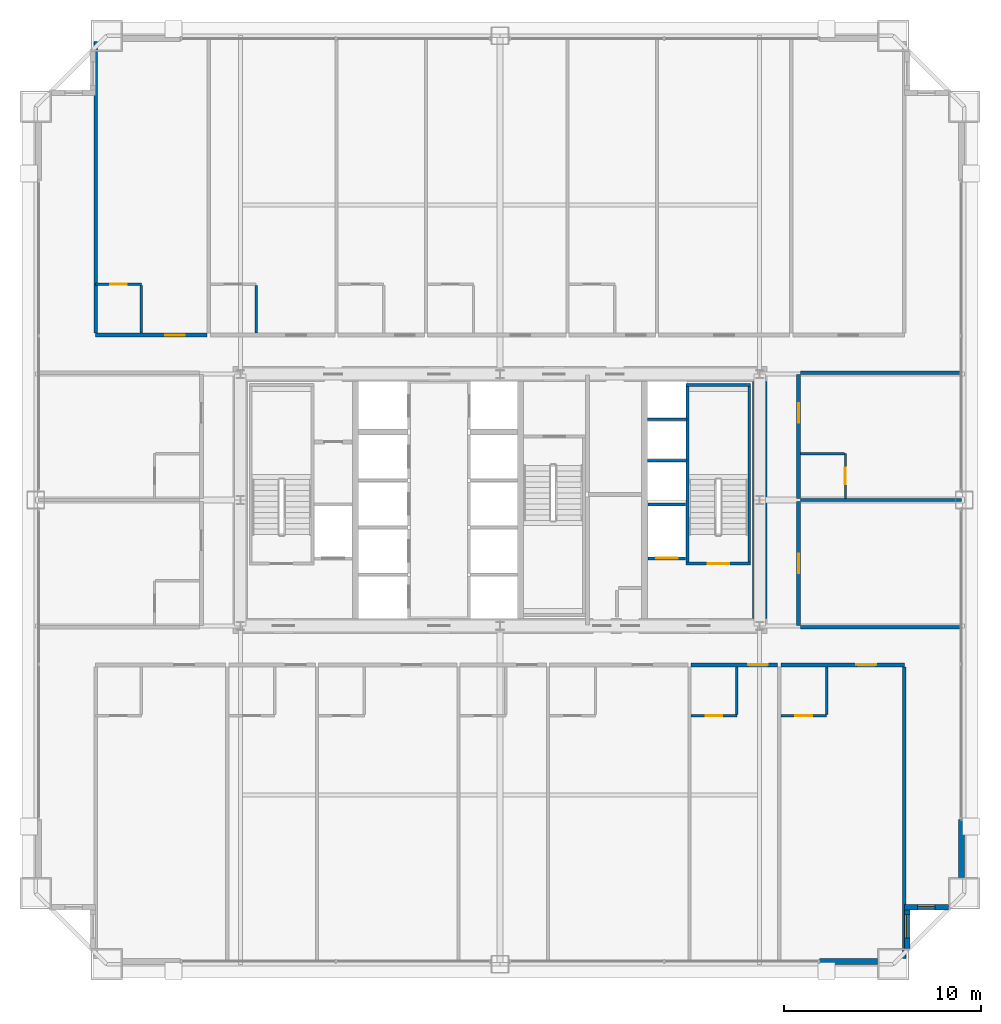
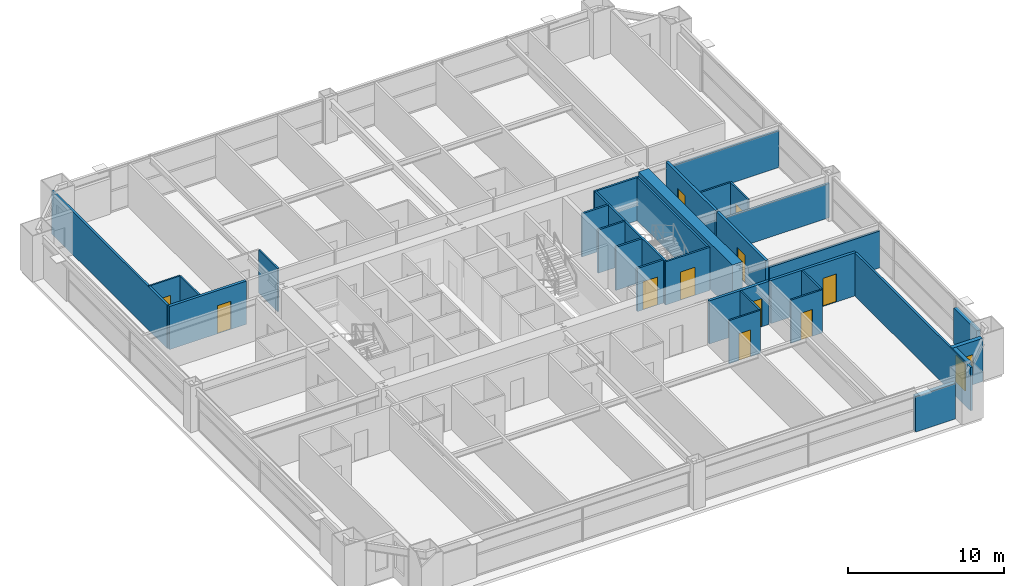
# One storey, part 36 of 38: 32 walls, 11 doors, 2 windows, 13 openings.
"""IFC4 building model written with IfcOpenShell, lengths in metres."""

import ifcopenshell
import ifcopenshell.guid

model = None  # the IFC model being written
_history = None  # IfcOwnerHistory: only IFC2X3 demands one
_inside = {}  # id of a spatial element -> (the spatial element, [elements in it])
_under = {}  # id of a project, library or spatial element -> (it, [spatial elements below it])
_declared = {}  # id of a project -> (the project, [libraries it declares])
_typed = {}  # id of a type object -> (the type object, [elements of that type])
_made_of = {}  # id of a material, layer set ... -> (it, [elements and type objects made of it])


def new_model(schema):
    """Start an empty IFC model of exactly this schema.

    Asked for "IFC4X3", IfcOpenShell would pick the latest addendum, in which some entities
    have other attributes; the version numbers below select the first issue.
    IFC2X3 requires an IfcOwnerHistory on every rooted entity: one is made here for all.
    """
    global model, _history
    if schema == "IFC4X3":
        model = ifcopenshell.file(schema_version=(4, 3, 0, 0))
    else:
        model = ifcopenshell.file(schema=schema)
    _inside.clear()
    _under.clear()
    _declared.clear()
    _typed.clear()
    _made_of.clear()
    _history = None
    if model.schema == "IFC2X3":
        org = make("IfcOrganization", Name="unknown")
        user = make(
            "IfcPersonAndOrganization",
            ThePerson=make("IfcPerson", FamilyName="unknown"),
            TheOrganization=org,
        )
        app = make(
            "IfcApplication",
            ApplicationDeveloper=org,
            Version="unknown",
            ApplicationFullName="unknown",
            ApplicationIdentifier="unknown",
        )
        _history = make(
            "IfcOwnerHistory",
            OwningUser=user,
            OwningApplication=app,
            ChangeAction="ADDED",
            CreationDate=0,
        )
    return model


def make(cls, **values):
    """One entity of the class cls with the attributes given. An attribute that is None is left unset."""
    return model.create_entity(
        cls, **{name: value for name, value in values.items() if value is not None}
    )


def rooted(cls, **values):
    """An entity with a GlobalId (a new one), such as an element, a storey or a relation."""
    return make(cls, GlobalId=ifcopenshell.guid.new(), OwnerHistory=_history, **values)


def si_unit(unit_type, name, prefix=None):
    """IfcSIUnit, for example si_unit("LENGTHUNIT", "METRE", prefix="MILLI")."""
    return make("IfcSIUnit", UnitType=unit_type, Prefix=prefix, Name=name)


def assignment(units):
    """IfcUnitAssignment: the units of a project."""
    return None if units is None else make("IfcUnitAssignment", Units=units)


def point(xyz):
    """IfcCartesianPoint."""
    return None if xyz is None else make("IfcCartesianPoint", Coordinates=xyz)


def direction(xyz):
    """IfcDirection."""
    return None if xyz is None else make("IfcDirection", DirectionRatios=xyz)


def frame(location, z_axis=None, x_axis=None):
    """IfcAxis2Placement3D, a coordinate frame: its origin and axes. An axis left out is left unset."""
    return make(
        "IfcAxis2Placement3D",
        Location=point(location),
        Axis=direction(z_axis),
        RefDirection=direction(x_axis),
    )


def frame_2d(location, x_axis=None):
    """IfcAxis2Placement2D, a coordinate frame in the plane: its origin and x axis."""
    return make(
        "IfcAxis2Placement2D", Location=point(location), RefDirection=direction(x_axis)
    )


def origin():
    """The frame at (0, 0, 0) with its axes left unset."""
    return frame((0.0, 0.0, 0.0))


def place(relative_to, where):
    """IfcLocalPlacement: puts the frame where relative to a parent placement (None: the world)."""
    return make(
        "IfcLocalPlacement", PlacementRelTo=relative_to, RelativePlacement=where
    )


def context(
    kind, dimensions, precision=None, world=None, true_north=None, identifier=None
):
    """IfcGeometricRepresentationContext, for example the 3D "Model" context."""
    return make(
        "IfcGeometricRepresentationContext",
        ContextIdentifier=identifier,
        ContextType=kind,
        CoordinateSpaceDimension=dimensions,
        Precision=precision,
        WorldCoordinateSystem=world,
        TrueNorth=true_north,
    )


def subcontext(parent, identifier, kind, view, scale=None):
    """IfcGeometricRepresentationSubContext, for example "Body" below "Model"."""
    return make(
        "IfcGeometricRepresentationSubContext",
        ContextIdentifier=identifier,
        ContextType=kind,
        ParentContext=parent,
        TargetScale=scale,
        TargetView=view,
    )


def project(units=None, contexts=None):
    """IfcProject with its units and contexts."""
    return rooted(
        "IfcProject",
        Name="project",
        RepresentationContexts=contexts,
        UnitsInContext=assignment(units),
    )


def spatial(cls, under=None, at=None, **own):
    """A site, building, storey or space (cls), placed at a placement, below another one or the project."""
    s = rooted(cls, ObjectPlacement=at, **own)
    if under is not None:
        _under.setdefault(under.id(), (under, []))[1].append(s)
    return s


def profile(cls, at=None, kind="AREA", **sizes):
    """A parametric profile (cls). Its sizes go by their IFC names, for example OverallWidth=200.0."""
    return make(cls, ProfileType=kind, Position=at, **sizes)


def rectangle(**sizes):
    """IfcRectangleProfileDef."""
    return profile("IfcRectangleProfileDef", **sizes)


def extrude(swept, where, along, depth):
    """IfcExtrudedAreaSolid: the profile swept, set in the frame where, extruded along a direction by depth."""
    return make(
        "IfcExtrudedAreaSolid",
        SweptArea=swept,
        Position=where,
        ExtrudedDirection=direction(along),
        Depth=depth,
    )


def shape(context_of_items, identifier, shape_type, items):
    """IfcShapeRepresentation: the items that make up one representation, for example the "Body"."""
    return make(
        "IfcShapeRepresentation",
        ContextOfItems=context_of_items,
        RepresentationIdentifier=identifier,
        RepresentationType=shape_type,
        Items=items,
    )


def source(mapping_origin, context_of_items, identifier, shape_type, items):
    """IfcRepresentationMap: a shape defined once, which mapped items show again and again."""
    return make(
        "IfcRepresentationMap",
        MappingOrigin=mapping_origin,
        MappedRepresentation=shape(context_of_items, identifier, shape_type, items),
    )


def transform(
    local_origin,
    x_axis=None,
    y_axis=None,
    z_axis=None,
    scale=None,
    scale2=None,
    scale3=None,
    uniform=True,
):
    """IfcCartesianTransformationOperator3D, or its non-uniform kind. x_axis, y_axis, z_axis: its Axis1, 2, 3."""
    if uniform:
        return make(
            "IfcCartesianTransformationOperator3D",
            Axis1=direction(x_axis),
            Axis2=direction(y_axis),
            LocalOrigin=point(local_origin),
            Scale=scale,
            Axis3=direction(z_axis),
        )
    return make(
        "IfcCartesianTransformationOperator3DnonUniform",
        Axis1=direction(x_axis),
        Axis2=direction(y_axis),
        LocalOrigin=point(local_origin),
        Scale=scale,
        Axis3=direction(z_axis),
        Scale2=scale2,
        Scale3=scale3,
    )


def mapped(mapping_source, mapping_target):
    """IfcMappedItem: shows the shape of a source again, moved by a transform."""
    return make(
        "IfcMappedItem", MappingSource=mapping_source, MappingTarget=mapping_target
    )


def material(Name=None, Category=None):
    """IfcMaterial."""
    return make("IfcMaterial", Name=Name, Category=Category)


def layer(
    of_material, thickness, ventilated=None, Name=None, Category=None, Priority=None
):
    """IfcMaterialLayer: one layer of a wall or slab, of a material (None: an air gap)."""
    return make(
        "IfcMaterialLayer",
        Material=of_material,
        LayerThickness=thickness,
        IsVentilated=ventilated,
        Name=Name,
        Category=Category,
        Priority=Priority,
    )


def layer_set(layers, Name=None):
    """IfcMaterialLayerSet."""
    return make("IfcMaterialLayerSet", MaterialLayers=layers, LayerSetName=Name)


def made_of(thing, what):
    """Note that an element or type object is made of a material, layer set ...; save() writes the relation."""
    if what is not None:
        _made_of.setdefault(what.id(), (what, []))[1].append(thing)
    return thing


def type_object(cls, material=None, **own):
    """A type object (cls), such as IfcWallType, which elements share."""
    return made_of(rooted(cls, **own), material)


def element(
    cls,
    number,
    at=None,
    inside=None,
    cuts=None,
    type_object=None,
    material=None,
    context=None,
    identifier="Body",
    shape_type=None,
    held_by="IfcProductDefinitionShape",
    body=None,
    shapes=None,
    **own,
):
    """One element of the class cls, such as IfcWall. Its Tag is "e" and its number.

    at: its placement. inside: the storey or other place that contains it. cuts: it is an
    opening in that element (IfcRelVoidsElement). A single representation is given by context,
    identifier, shape_type and body (its items); several are given by shapes. held_by: the class
    of the entity that holds the representations. save() writes the other relations.
    """
    e = rooted(cls, Tag="e%d" % number, ObjectPlacement=at, **own)
    if body is not None:
        shapes = [shape(context, identifier, shape_type, body)]
    if shapes is not None:
        e.Representation = make(held_by, Representations=shapes)
    if inside is not None:
        _inside.setdefault(inside.id(), (inside, []))[1].append(e)
    if cuts is not None:
        rooted(
            "IfcRelVoidsElement", RelatingBuildingElement=cuts, RelatedOpeningElement=e
        )
    if type_object is not None:
        _typed.setdefault(type_object.id(), (type_object, []))[1].append(e)
    return made_of(e, material)


def fill(opening, filler):
    """IfcRelFillsElement: the door or window that sits in an opening."""
    return rooted(
        "IfcRelFillsElement",
        RelatingOpeningElement=opening,
        RelatedBuildingElement=filler,
    )


def aggregate(whole, parts):
    """IfcRelAggregates: a whole, such as a stair, and the parts it consists of."""
    return rooted("IfcRelAggregates", RelatingObject=whole, RelatedObjects=parts)


def save(model, path):
    """Write the relations noted so far, then the file.

    IfcRelAggregates (storeys below a building ...), IfcRelContainedInSpatialStructure (elements
    in a storey), IfcRelDefinesByType, IfcRelAssociatesMaterial and IfcRelDeclares: one each for
    every whole, place, type object, material and project.
    """
    for whole, parts in _under.values():
        aggregate(whole, parts)
    for where, things in _inside.values():
        rooted(
            "IfcRelContainedInSpatialStructure",
            RelatedElements=things,
            RelatingStructure=where,
        )
    for kind, things in _typed.values():
        rooted("IfcRelDefinesByType", RelatedObjects=things, RelatingType=kind)
    for what, things in _made_of.values():
        rooted("IfcRelAssociatesMaterial", RelatedObjects=things, RelatingMaterial=what)
    for by, libraries in _declared.values():
        rooted("IfcRelDeclares", RelatingContext=by, RelatedDefinitions=libraries)
    model.write(path)


model = new_model("IFC4")

# Units and contexts
model_context = context("Model", 3, precision=1e-05, world=origin(), true_north=direction((0.0, 1.0)))
body_context = subcontext(model_context, "Body", "Model", "MODEL_VIEW")
ifc_project = project(units=[si_unit("LENGTHUNIT", "METRE"), si_unit("AREAUNIT", "SQUARE_METRE"), si_unit("VOLUMEUNIT", "CUBIC_METRE"), si_unit("PLANEANGLEUNIT", "RADIAN"), si_unit("MASSUNIT", "GRAM", prefix="KILO"), si_unit("THERMODYNAMICTEMPERATUREUNIT", "KELVIN"), si_unit("POWERUNIT", "WATT")], contexts=[model_context])

# Site, building, storey
site_placement = place(None, origin())
site = spatial("IfcSite", under=ifc_project, at=site_placement, CompositionType="ELEMENT")
building_placement = place(site_placement, origin())
building = spatial("IfcBuilding", under=site, at=building_placement, Name="Yuzanri Waterfront Tower", CompositionType="ELEMENT")
storey_placement = place(building_placement, frame((0.0, 0.0, 90.199951171875)))
storey = spatial("IfcBuildingStorey", under=building, at=storey_placement, Name="L23", CompositionType="ELEMENT", Elevation=90.199951171875)

# Wall, opening, door
ifc_material_1 = material(Name="Moisture-Resistant Gypsum Stud Wall", Category="gypsum")
ifc_layer_1 = layer(ifc_material_1, 0.1201171875)
ifc_layer_set_1 = layer_set([ifc_layer_1], Name="Moisture-Resistant Gypsum Stud Wall")
wall_type_1 = type_object("IfcWallType", Name="Bathroom and Kitchen Wet Partition 120", PredefinedType="PARTITIONING", material=ifc_layer_set_1)
wall_1_placement = place(storey_placement, frame((46.714111328125, 14.840087890625, 0.0), z_axis=(0.0, 0.0, 1.0), x_axis=(1.0, 0.0, 0.0)))
wall_1 = element("IfcWall", 1, at=wall_1_placement, inside=storey, type_object=wall_type_1, Name="L23 Partition UW-L23-S6-BS", PredefinedType="PARTITIONING", context=body_context, shape_type="SweptSolid", body=[
    extrude(rectangle(XDim=2.327880859375, YDim=0.1201171875, at=frame_2d((1.1640625, 0.0))), origin(), (0.0, 0.0, 1.0), 3.380126953125),
])
opening_1_placement = place(wall_1_placement, frame((0.739013671875, 0.0, 0.0)))
opening_1 = element("IfcOpeningElement", 2, at=opening_1_placement, cuts=wall_1, Name="Opening ID-0850", PredefinedType="OPENING", context=body_context, shape_type="SweptSolid", body=[
    extrude(rectangle(XDim=0.85009765625, YDim=2.10009765625, at=frame_2d((0.425048828125, 1.050048828125))), frame((0.0, 0.074951171875, 0.0), z_axis=(0.0, -1.0, 0.0), x_axis=(1.0, 0.0, 0.0)), (0.0, 0.0, 1.0), 0.14990234375),
])
ifc_material_2 = material(Name="Moisture-Resistant Lacquered Timber", Category="wood")
door_type_1 = type_object("IfcDoorType", Name="En-Suite Bathroom and Kitchen Swing Door 850x2100", OperationType="NOTDEFINED", PredefinedType="DOOR", material=ifc_material_2)
shared_shape_1 = source(origin(), body_context, "Body", "SweptSolid", [
    extrude(rectangle(XDim=0.85009765625, YDim=2.10009765625, at=frame_2d((0.425048828125, 1.050048828125))), frame((0.0, 0.02490234375, 0.0), z_axis=(0.0, -1.0, 0.0), x_axis=(1.0, 0.0, 0.0)), (0.0, 0.0, 1.0), 0.050048828125),
])
door_1_placement = place(opening_1_placement, origin())
door_1 = element("IfcDoor", 3, at=door_1_placement, inside=storey, type_object=door_type_1, Name="L23 Guest En-Suite Door", OperationType="SINGLE_SWING_LEFT", OverallHeight=2.10009765625, OverallWidth=0.85009765625, PredefinedType="DOOR", context=body_context, shape_type="MappedRepresentation", body=[
    mapped(shared_shape_1, transform((0.0, 0.0, 0.0), scale=1.0)),
])
fill(opening_1, door_1)

wall_2_placement = place(storey_placement, frame((51.27197265625, 14.840087890625, 0.0), z_axis=(0.0, 0.0, 1.0), x_axis=(1.0, 0.0, 0.0)))
wall_2 = element("IfcWall", 4, at=wall_2_placement, inside=storey, type_object=wall_type_1, Name="L23 Partition UW-L23-S7-BS", PredefinedType="PARTITIONING", context=body_context, shape_type="SweptSolid", body=[
    extrude(rectangle(XDim=2.330078125, YDim=0.1201171875, at=frame_2d((1.1650390625, 0.0))), origin(), (0.0, 0.0, 1.0), 3.380126953125),
])
opening_2_placement = place(wall_2_placement, frame((0.739990234375, 0.0, 0.0)))
opening_2 = element("IfcOpeningElement", 5, at=opening_2_placement, cuts=wall_2, Name="Opening ID-0850", PredefinedType="OPENING", context=body_context, shape_type="SweptSolid", body=[
    extrude(rectangle(XDim=0.85009765625, YDim=2.10009765625, at=frame_2d((0.425048828125, 1.050048828125))), frame((0.0, 0.074951171875, 0.0), z_axis=(0.0, -1.0, 0.0), x_axis=(1.0, 0.0, 0.0)), (0.0, 0.0, 1.0), 0.14990234375),
])
door_2_placement = place(opening_2_placement, origin())
door_2 = element("IfcDoor", 6, at=door_2_placement, inside=storey, type_object=door_type_1, Name="L23 Guest En-Suite Door", OperationType="SINGLE_SWING_LEFT", OverallHeight=2.10009765625, OverallWidth=0.85009765625, PredefinedType="DOOR", context=body_context, shape_type="MappedRepresentation", body=[
    mapped(shared_shape_1, transform((0.0, 0.0, 0.0), scale=1.0)),
])
fill(opening_2, door_2)

wall_3_placement = place(storey_placement, frame((16.43994140625, 36.760009765625, 0.0), z_axis=(0.0, 0.0, 1.0), x_axis=(1.0, 0.0, 0.0)))
wall_3 = element("IfcWall", 7, at=wall_3_placement, inside=storey, type_object=wall_type_1, Name="L23 Partition UW-L23-N1-BN", PredefinedType="PARTITIONING", context=body_context, shape_type="SweptSolid", body=[
    extrude(rectangle(XDim=2.330078125, YDim=0.1201171875, at=frame_2d((1.1650390625, 0.0))), origin(), (0.0, 0.0, 1.0), 3.380126953125),
])
opening_3_placement = place(wall_3_placement, frame((0.739990234375, 0.0, 0.0)))
opening_3 = element("IfcOpeningElement", 8, at=opening_3_placement, cuts=wall_3, Name="Opening ID-0850", PredefinedType="OPENING", context=body_context, shape_type="SweptSolid", body=[
    extrude(rectangle(XDim=0.85009765625, YDim=2.10009765625, at=frame_2d((0.425048828125, 1.050048828125))), frame((0.0, 0.074951171875, 0.0), z_axis=(0.0, -1.0, 0.0), x_axis=(1.0, 0.0, 0.0)), (0.0, 0.0, 1.0), 0.14990234375),
])
door_3_placement = place(opening_3_placement, origin())
door_3 = element("IfcDoor", 9, at=door_3_placement, inside=storey, type_object=door_type_1, Name="L23 Guest En-Suite Door", OperationType="SINGLE_SWING_LEFT", OverallHeight=2.10009765625, OverallWidth=0.85009765625, PredefinedType="DOOR", context=body_context, shape_type="MappedRepresentation", body=[
    mapped(shared_shape_1, transform((0.0, 0.0, 0.0), scale=1.0)),
])
fill(opening_3, door_3)

wall_4_placement = place(storey_placement, frame((54.56005859375, 25.8798828125, 0.0), z_axis=(0.0, 0.0, 1.0), x_axis=(0.0, 1.0, 0.0)))
wall_4 = element("IfcWall", 10, at=wall_4_placement, inside=storey, type_object=wall_type_1, Name="L23 Partition UW-L23-E2-BE2", PredefinedType="PARTITIONING", context=body_context, shape_type="SweptSolid", body=[
    extrude(rectangle(XDim=2.280029296875, YDim=0.1201171875, at=frame_2d((1.14013671875, 0.0))), origin(), (0.0, 0.0, 1.0), 3.380126953125),
])
opening_4_placement = place(wall_4_placement, frame((0.715087890625, 0.0, 0.0)))
opening_4 = element("IfcOpeningElement", 11, at=opening_4_placement, cuts=wall_4, Name="Opening ID-0850", PredefinedType="OPENING", context=body_context, shape_type="SweptSolid", body=[
    extrude(rectangle(XDim=0.85009765625, YDim=2.10009765625, at=frame_2d((0.425048828125, 1.050048828125))), frame((0.0, 0.074951171875, 0.0), z_axis=(0.0, -1.0, 0.0), x_axis=(1.0, 0.0, 0.0)), (0.0, 0.0, 1.0), 0.14990234375),
])
door_4_placement = place(opening_4_placement, origin())
door_4 = element("IfcDoor", 12, at=door_4_placement, inside=storey, type_object=door_type_1, Name="L23 Guest En-Suite Door", OperationType="SINGLE_SWING_RIGHT", OverallHeight=2.10009765625, OverallWidth=0.85009765625, PredefinedType="DOOR", context=body_context, shape_type="MappedRepresentation", body=[
    mapped(shared_shape_1, transform((0.0, 0.0, 0.0), scale=1.0)),
])
fill(opening_4, door_4)

# Wall, opening, window
ifc_material_3 = material(Name="Honed Chongqing Dark Basalt Stone", Category="masonry")
ifc_layer_2 = layer(ifc_material_3, 0.300048828125)
ifc_layer_set_2 = layer_set([ifc_layer_2], Name="Honed Chongqing Dark Basalt Stone")
wall_type_2 = type_object("IfcWallType", Name="Bronze Rainscreen Insulated Spandrel Portal Wall 300", PredefinedType="SOLIDWALL", material=ifc_layer_set_2)
wall_5_placement = place(storey_placement, frame((57.550048828125, 5.10009765625, 0.0), z_axis=(0.0, 0.0, 1.0), x_axis=(1.0, 0.0, 0.0)))
wall_5 = element("IfcWall", 13, at=wall_5_placement, inside=storey, type_object=wall_type_2, Name="L23 Notched Corner Masonry Wall SE-X", PredefinedType="SOLIDWALL", context=body_context, shape_type="SweptSolid", body=[
    extrude(rectangle(XDim=2.25, YDim=0.300048828125, at=frame_2d((1.125, 0.0))), origin(), (0.0, 0.0, 1.0), 3.380126953125),
])
opening_5_placement = place(wall_5_placement, frame((0.675048828125, 0.0, 0.85009765625)))
opening_5 = element("IfcOpeningElement", 14, at=opening_5_placement, cuts=wall_5, Name="Opening WN-05", PredefinedType="OPENING", context=body_context, shape_type="SweptSolid", body=[
    extrude(rectangle(XDim=0.89990234375, YDim=1.5, at=frame_2d((0.449951171875, 0.75))), frame((0.0, 0.1650390625, 0.0), z_axis=(0.0, -1.0, 0.0), x_axis=(1.0, 0.0, 0.0)), (0.0, 0.0, 1.0), 0.329833984375),
])
ifc_material_4 = material(Name="Double-Silver Low-E Insulated Glass", Category="glass")
window_type_1 = type_object("IfcWindowType", Name="Anodized Bronze Service and Stairwell Smoke-Vent Window 900x1500", PartitioningType="SINGLE_PANEL", PredefinedType="WINDOW", material=ifc_material_4)
shared_shape_2 = source(origin(), body_context, "Body", "SweptSolid", [
    extrude(rectangle(XDim=0.89990234375, YDim=1.5, at=frame_2d((0.449951171875, 0.75))), frame((0.0, 0.030029296875, 0.0), z_axis=(0.0, -1.0, 0.0), x_axis=(1.0, 0.0, 0.0)), (0.0, 0.0, 1.0), 0.06005859375),
])
window_1_placement = place(opening_5_placement, origin())
window_1 = element("IfcWindow", 15, at=window_1_placement, inside=storey, type_object=window_type_1, Name="L23 Notched Corner Window SE-X", OverallHeight=1.5, OverallWidth=0.89990234375, PartitioningType="SINGLE_PANEL", PredefinedType="WINDOW", context=body_context, shape_type="MappedRepresentation", body=[
    mapped(shared_shape_2, transform((0.0, 0.0, 0.0), scale=1.0)),
])
fill(opening_5, window_1)

wall_6_placement = place(storey_placement, frame((57.699951171875, 3.0, 0.0), z_axis=(0.0, 0.0, 1.0), x_axis=(0.0, 1.0, 0.0)))
wall_6 = element("IfcWall", 16, at=wall_6_placement, inside=storey, type_object=wall_type_2, Name="L23 Notched Corner Masonry Wall SE-Y", PredefinedType="SOLIDWALL", context=body_context, shape_type="SweptSolid", body=[
    extrude(rectangle(XDim=2.25, YDim=0.300048828125, at=frame_2d((1.125, 0.0))), origin(), (0.0, 0.0, 1.0), 3.380126953125),
])
opening_6_placement = place(wall_6_placement, frame((0.52490234375, 0.0, 0.85009765625)))
opening_6 = element("IfcOpeningElement", 17, at=opening_6_placement, cuts=wall_6, Name="Opening WN-02", PredefinedType="OPENING", context=body_context, shape_type="SweptSolid", body=[
    extrude(rectangle(XDim=1.199951171875, YDim=2.10009765625, at=frame_2d((0.60009765625, 1.050048828125))), frame((0.0, 0.1650390625, 0.0), z_axis=(0.0, -1.0, 0.0), x_axis=(1.0, 0.0, 0.0)), (0.0, 0.0, 1.0), 0.329833984375),
])
ifc_material_5 = material(Name="Double-Silver Low-E Insulated Glass", Category="glass")
window_type_2 = type_object("IfcWindowType", Name="Anodized Bronze Notched Corner Deep-Set Slot Window 1200x2100", PartitioningType="SINGLE_PANEL", PredefinedType="WINDOW", material=ifc_material_5)
shared_shape_3 = source(origin(), body_context, "Body", "SweptSolid", [
    extrude(rectangle(XDim=1.199951171875, YDim=2.10009765625, at=frame_2d((0.60009765625, 1.050048828125))), frame((0.0, 0.030029296875, 0.0), z_axis=(0.0, -1.0, 0.0), x_axis=(1.0, 0.0, 0.0)), (0.0, 0.0, 1.0), 0.06005859375),
])
window_2_placement = place(opening_6_placement, origin())
window_2 = element("IfcWindow", 18, at=window_2_placement, inside=storey, type_object=window_type_2, Name="L23 Notched Corner Window SE-Y", OverallHeight=2.10009765625, OverallWidth=1.199951171875, PartitioningType="SINGLE_PANEL", PredefinedType="WINDOW", context=body_context, shape_type="MappedRepresentation", body=[
    mapped(shared_shape_3, transform((0.0, 0.0, 0.0), scale=1.0)),
])
fill(opening_6, window_2)

# Wall, opening, door
ifc_material_6 = material(Name="Concrete C40", Category="concrete")
ifc_layer_3 = layer(ifc_material_6, 0.139892578125)
ifc_layer_set_3 = layer_set([ifc_layer_3], Name="Concrete C40")
wall_type_3 = type_object("IfcWallType", Name="Core Stair Liner and Hoistway Shaft Wall 140", PredefinedType="SOLIDWALL", material=ifc_layer_set_3)
wall_7_placement = place(storey_placement, frame((44.52001953125, 22.830078125, 0.0), z_axis=(0.0, 0.0, 1.0), x_axis=(1.0, 0.0, 0.0)))
wall_7 = element("IfcWall", 19, at=wall_7_placement, inside=storey, type_object=wall_type_3, Name="L23 Lift FL-02 Front Shaft Wall", PredefinedType="SOLIDWALL", context=body_context, shape_type="SweptSolid", body=[
    extrude(rectangle(XDim=1.919921875, YDim=0.139892578125, at=frame_2d((0.9599609375, 0.0))), origin(), (0.0, 0.0, 1.0), 3.380126953125),
])
opening_7_placement = place(wall_7_placement, frame((0.409912109375, 0.0, 0.0)))
opening_7 = element("IfcOpeningElement", 20, at=opening_7_placement, cuts=wall_7, Name="Opening LD-FL-02", PredefinedType="OPENING", context=body_context, shape_type="SweptSolid", body=[
    extrude(rectangle(XDim=1.10009765625, YDim=2.199951171875, at=frame_2d((0.550048828125, 1.10009765625))), frame((0.0, 0.0849609375, 0.0), z_axis=(0.0, -1.0, 0.0), x_axis=(1.0, 0.0, 0.0)), (0.0, 0.0, 1.0), 0.169677734375),
])
ifc_material_7 = material(Name="Brushed Bronze and Stainless Steel Cab", Category="steel")
door_type_2 = type_object("IfcDoorType", Name="Center-Parting Bronze Lift Landing Sliding Door 1100x2200", OperationType="NOTDEFINED", PredefinedType="DOOR", material=ifc_material_7)
shared_shape_4 = source(origin(), body_context, "Body", "SweptSolid", [
    extrude(rectangle(XDim=1.10009765625, YDim=2.199951171875, at=frame_2d((0.550048828125, 1.10009765625))), frame((0.0, 0.02490234375, 0.0), z_axis=(0.0, -1.0, 0.0), x_axis=(1.0, 0.0, 0.0)), (0.0, 0.0, 1.0), 0.050048828125),
])
door_5_placement = place(opening_7_placement, origin())
door_5 = element("IfcDoor", 21, at=door_5_placement, inside=storey, type_object=door_type_2, Name="L23 FL-02 Lift Landing Sliding Door", OperationType="SLIDING_TO_RIGHT", OverallHeight=2.199951171875, OverallWidth=1.10009765625, PredefinedType="DOOR", context=body_context, shape_type="MappedRepresentation", body=[
    mapped(shared_shape_4, transform((0.0, 0.0, 0.0), scale=1.0)),
])
fill(opening_7, door_5)

wall_8_placement = place(storey_placement, frame((46.4599609375, 22.570068359375, 0.0), z_axis=(0.0, 0.0, 1.0), x_axis=(1.0, 0.0, 0.0)))
wall_8 = element("IfcWall", 22, at=wall_8_placement, inside=storey, type_object=wall_type_3, Name="L23 Shaft Wall STW-L23-ST-02-S", PredefinedType="SOLIDWALL", context=body_context, shape_type="SweptSolid", body=[
    extrude(rectangle(XDim=3.280029296875, YDim=0.139892578125, at=frame_2d((1.64013671875, 0.0))), origin(), (0.0, 0.0, 1.0), 3.380126953125),
])
opening_8_placement = place(wall_8_placement, frame((1.090087890625, 0.0, 0.0)))
opening_8 = element("IfcOpeningElement", 23, at=opening_8_placement, cuts=wall_8, Name="Opening FD-1100", PredefinedType="OPENING", context=body_context, shape_type="SweptSolid", body=[
    extrude(rectangle(XDim=1.10009765625, YDim=2.199951171875, at=frame_2d((0.550048828125, 1.10009765625))), frame((0.0, 0.0849609375, 0.0), z_axis=(0.0, -1.0, 0.0), x_axis=(1.0, 0.0, 0.0)), (0.0, 0.0, 1.0), 0.169677734375),
])
ifc_material_8 = material(Name="Painted Galvanized Fire Steel", Category="steel")
door_type_3 = type_object("IfcDoorType", Name="Smoke-Proof Stair and Lobby Fire Door 1100x2200", OperationType="NOTDEFINED", PredefinedType="DOOR", material=ifc_material_8)
shared_shape_5 = source(origin(), body_context, "Body", "SweptSolid", [
    extrude(rectangle(XDim=1.10009765625, YDim=2.199951171875, at=frame_2d((0.550048828125, 1.10009765625))), frame((0.0, 0.02490234375, 0.0), z_axis=(0.0, -1.0, 0.0), x_axis=(1.0, 0.0, 0.0)), (0.0, 0.0, 1.0), 0.050048828125),
])
door_6_placement = place(opening_8_placement, origin())
door_6 = element("IfcDoor", 24, at=door_6_placement, inside=storey, type_object=door_type_3, Name="L23 Stair ST-02 Fire Door", OperationType="SINGLE_SWING_RIGHT", OverallHeight=2.199951171875, OverallWidth=1.10009765625, PredefinedType="DOOR", context=body_context, shape_type="MappedRepresentation", body=[
    mapped(shared_shape_5, transform((0.0, 0.0, 0.0), scale=1.0)),
])
fill(opening_8, door_6)

ifc_material_9 = material(Name="Autoclaved Aerated Concrete Blockwork", Category="masonry")
ifc_layer_4 = layer(ifc_material_9, 0.199951171875)
ifc_layer_set_4 = layer_set([ifc_layer_4], Name="Autoclaved Aerated Concrete Blockwork")
wall_type_4 = type_object("IfcWallType", Name="Corridor and Unit Party Fire Wall 200", PredefinedType="PARTITIONING", material=ifc_layer_set_4)
wall_9_placement = place(storey_placement, frame((46.714111328125, 17.419921875, 0.0), z_axis=(0.0, 0.0, 1.0), x_axis=(1.0, 0.0, 0.0)))
wall_9 = element("IfcWall", 25, at=wall_9_placement, inside=storey, type_object=wall_type_4, Name="L23 Partition UW-L23-S6-CN", PredefinedType="PARTITIONING", context=body_context, shape_type="SweptSolid", body=[
    extrude(rectangle(XDim=4.39794921875, YDim=0.199951171875, at=frame_2d((2.198974609375, 0.0))), origin(), (0.0, 0.0, 1.0), 3.380126953125),
])
opening_9_placement = place(wall_9_placement, frame((2.903076171875, 0.0, 0.0)))
opening_9 = element("IfcOpeningElement", 26, at=opening_9_placement, cuts=wall_9, Name="Opening FD-1000", PredefinedType="OPENING", context=body_context, shape_type="SweptSolid", body=[
    extrude(rectangle(XDim=1.0, YDim=2.199951171875, at=frame_2d((0.5, 1.10009765625))), frame((0.0, 0.11474609375, 0.0), z_axis=(0.0, -1.0, 0.0), x_axis=(1.0, 0.0, 0.0)), (0.0, 0.0, 1.0), 0.229736328125),
])
ifc_material_10 = material(Name="Engineered Oak Fire-Rated Timber", Category="wood")
door_type_4 = type_object("IfcDoorType", Name="Guestroom and Apartment Entrance Fire Door 1000x2200", OperationType="NOTDEFINED", PredefinedType="DOOR", material=ifc_material_10)
shared_shape_6 = source(origin(), body_context, "Body", "SweptSolid", [
    extrude(rectangle(XDim=1.0, YDim=2.199951171875, at=frame_2d((0.5, 1.10009765625))), frame((0.0, 0.02490234375, 0.0), z_axis=(0.0, -1.0, 0.0), x_axis=(1.0, 0.0, 0.0)), (0.0, 0.0, 1.0), 0.050048828125),
])
door_7_placement = place(opening_9_placement, origin())
door_7 = element("IfcDoor", 27, at=door_7_placement, inside=storey, type_object=door_type_4, Name="L23 Superior King Guest Room Entrance Door", OperationType="SINGLE_SWING_RIGHT", OverallHeight=2.199951171875, OverallWidth=1.0, PredefinedType="DOOR", context=body_context, shape_type="MappedRepresentation", body=[
    mapped(shared_shape_6, transform((0.0, 0.0, 0.0), scale=1.0)),
])
fill(opening_9, door_7)

wall_10_placement = place(storey_placement, frame((51.27197265625, 17.419921875, 0.0), z_axis=(0.0, 0.0, 1.0), x_axis=(1.0, 0.0, 0.0)))
wall_10 = element("IfcWall", 28, at=wall_10_placement, inside=storey, type_object=wall_type_4, Name="L23 Partition UW-L23-S7-CN", PredefinedType="PARTITIONING", context=body_context, shape_type="SweptSolid", body=[
    extrude(rectangle(XDim=6.2880859375, YDim=0.199951171875, at=frame_2d((3.14404296875, 0.0))), origin(), (0.0, 0.0, 1.0), 3.380126953125),
])
opening_10_placement = place(wall_10_placement, frame((3.84912109375, 0.0, 0.0)))
opening_10 = element("IfcOpeningElement", 29, at=opening_10_placement, cuts=wall_10, Name="Opening FD-1000", PredefinedType="OPENING", context=body_context, shape_type="SweptSolid", body=[
    extrude(rectangle(XDim=1.0, YDim=2.199951171875, at=frame_2d((0.5, 1.10009765625))), frame((0.0, 0.11474609375, 0.0), z_axis=(0.0, -1.0, 0.0), x_axis=(1.0, 0.0, 0.0)), (0.0, 0.0, 1.0), 0.229736328125),
])
door_8_placement = place(opening_10_placement, origin())
door_8 = element("IfcDoor", 30, at=door_8_placement, inside=storey, type_object=door_type_4, Name="L23 Superior King Junior Suite Entrance Door", OperationType="SINGLE_SWING_RIGHT", OverallHeight=2.199951171875, OverallWidth=1.0, PredefinedType="DOOR", context=body_context, shape_type="MappedRepresentation", body=[
    mapped(shared_shape_6, transform((0.0, 0.0, 0.0), scale=1.0)),
])
fill(opening_10, door_8)

wall_11_placement = place(storey_placement, frame((16.43994140625, 34.179931640625, 0.0), z_axis=(0.0, 0.0, 1.0), x_axis=(1.0, 0.0, 0.0)))
wall_11 = element("IfcWall", 31, at=wall_11_placement, inside=storey, type_object=wall_type_4, Name="L23 Partition UW-L23-N1-CS", PredefinedType="PARTITIONING", context=body_context, shape_type="SweptSolid", body=[
    extrude(rectangle(XDim=5.677001953125, YDim=0.199951171875, at=frame_2d((2.83837890625, 0.0))), origin(), (0.0, 0.0, 1.0), 3.380126953125),
])
opening_11_placement = place(wall_11_placement, frame((3.54296875, 0.0, 0.0)))
opening_11 = element("IfcOpeningElement", 32, at=opening_11_placement, cuts=wall_11, Name="Opening FD-1000", PredefinedType="OPENING", context=body_context, shape_type="SweptSolid", body=[
    extrude(rectangle(XDim=1.0, YDim=2.199951171875, at=frame_2d((0.5, 1.10009765625))), frame((0.0, 0.11474609375, 0.0), z_axis=(0.0, -1.0, 0.0), x_axis=(1.0, 0.0, 0.0)), (0.0, 0.0, 1.0), 0.229736328125),
])
door_9_placement = place(opening_11_placement, origin())
door_9 = element("IfcDoor", 33, at=door_9_placement, inside=storey, type_object=door_type_4, Name="L23 Deluxe Queen Junior Suite Entrance Door", OperationType="SINGLE_SWING_RIGHT", OverallHeight=2.199951171875, OverallWidth=1.0, PredefinedType="DOOR", context=body_context, shape_type="MappedRepresentation", body=[
    mapped(shared_shape_6, transform((0.0, 0.0, 0.0), scale=1.0)),
])
fill(opening_11, door_9)

wall_12_placement = place(storey_placement, frame((52.179931640625, 19.409912109375, 0.0), z_axis=(0.0, 0.0, 1.0), x_axis=(0.0, 1.0, 0.0)))
wall_12 = element("IfcWall", 34, at=wall_12_placement, inside=storey, type_object=wall_type_4, Name="L23 Partition UW-L23-E1-CW", PredefinedType="PARTITIONING", context=body_context, shape_type="SweptSolid", body=[
    extrude(rectangle(XDim=6.31005859375, YDim=0.199951171875, at=frame_2d((3.155029296875, 0.0))), origin(), (0.0, 0.0, 1.0), 3.380126953125),
])
opening_12_placement = place(wall_12_placement, frame((2.655029296875, 0.0, 0.0)))
opening_12 = element("IfcOpeningElement", 35, at=opening_12_placement, cuts=wall_12, Name="Opening FD-1000", PredefinedType="OPENING", context=body_context, shape_type="SweptSolid", body=[
    extrude(rectangle(XDim=1.0, YDim=2.199951171875, at=frame_2d((0.5, 1.10009765625))), frame((0.0, 0.11474609375, 0.0), z_axis=(0.0, -1.0, 0.0), x_axis=(1.0, 0.0, 0.0)), (0.0, 0.0, 1.0), 0.229736328125),
])
door_10_placement = place(opening_12_placement, origin())
door_10 = element("IfcDoor", 36, at=door_10_placement, inside=storey, type_object=door_type_4, Name="L23 East Executive Club Room Entrance Door", OperationType="SINGLE_SWING_RIGHT", OverallHeight=2.199951171875, OverallWidth=1.0, PredefinedType="DOOR", context=body_context, shape_type="MappedRepresentation", body=[
    mapped(shared_shape_6, transform((0.0, 0.0, 0.0), scale=1.0)),
])
fill(opening_12, door_10)

wall_13_placement = place(storey_placement, frame((52.179931640625, 25.8798828125, 0.0), z_axis=(0.0, 0.0, 1.0), x_axis=(0.0, 1.0, 0.0)))
wall_13 = element("IfcWall", 37, at=wall_13_placement, inside=storey, type_object=wall_type_4, Name="L23 Partition UW-L23-E2-CW", PredefinedType="PARTITIONING", context=body_context, shape_type="SweptSolid", body=[
    extrude(rectangle(XDim=6.31005859375, YDim=0.199951171875, at=frame_2d((3.155029296875, 0.0))), origin(), (0.0, 0.0, 1.0), 3.380126953125),
])
opening_13_placement = place(wall_13_placement, frame((3.8349609375, 0.0, 0.0)))
opening_13 = element("IfcOpeningElement", 38, at=opening_13_placement, cuts=wall_13, Name="Opening FD-1000", PredefinedType="OPENING", context=body_context, shape_type="SweptSolid", body=[
    extrude(rectangle(XDim=1.0, YDim=2.199951171875, at=frame_2d((0.5, 1.10009765625))), frame((0.0, 0.11474609375, 0.0), z_axis=(0.0, -1.0, 0.0), x_axis=(1.0, 0.0, 0.0)), (0.0, 0.0, 1.0), 0.229736328125),
])
door_11_placement = place(opening_13_placement, origin())
door_11 = element("IfcDoor", 39, at=door_11_placement, inside=storey, type_object=door_type_4, Name="L23 East Diplomatic Suite Entrance Door", OperationType="SINGLE_SWING_LEFT", OverallHeight=2.199951171875, OverallWidth=1.0, PredefinedType="DOOR", context=body_context, shape_type="MappedRepresentation", body=[
    mapped(shared_shape_6, transform((0.0, 0.0, 0.0), scale=1.0)),
])
fill(opening_13, door_11)

# Walls
ifc_material_11 = material(Name="Concrete C55", Category="concrete")
ifc_layer_5 = layer(ifc_material_11, 0.75)
ifc_layer_set_5 = layer_set([ifc_layer_5], Name="Concrete C55")
wall_type_5 = type_object("IfcWallType", Name="Concrete C55 Low-Mid Zone Core Shear Wall 750", PredefinedType="SHEAR", material=ifc_layer_set_5)
shared_shape_7 = source(origin(), body_context, "Body", "SweptSolid", [
    extrude(rectangle(XDim=12.050048828125, YDim=0.75, at=frame_2d((6.02490234375, 0.0))), origin(), (0.0, 0.0, 1.0), 3.60009765625),
])
wall_14_placement = place(storey_placement, frame((50.199951171875, 19.77490234375, 0.0), z_axis=(0.0, 0.0, 1.0), x_axis=(0.0, 1.0, 0.0)))
element("IfcWall", 40, at=wall_14_placement, inside=storey, type_object=wall_type_5, Name="L23 Core East Shear Wall", PredefinedType="SHEAR", context=body_context, shape_type="MappedRepresentation", body=[
    mapped(shared_shape_7, transform((0.0, 0.0, 0.0), scale=1.0)),
])
shared_shape_8 = source(origin(), body_context, "Body", "SweptSolid", [
    extrude(rectangle(XDim=2.949951171875, YDim=0.300048828125, at=frame_2d((1.47509765625, 0.0))), origin(), (0.0, 0.0, 1.0), 2.775146484375),
])
for number, where, z_axis, x_axis, name in (
    (41, (53.25, 2.35009765625, 0.0), (0.0, 0.0, 1.0), (1.0, 0.0, 0.0), "L23 S Right Braced Masonry Shoulder"),
    (42, (60.449951171875, 6.60009765625, 0.0), (0.0, 0.0, 1.0), (0.0, 1.0, 0.0), "L23 E Left Braced Masonry Shoulder"),
):
    element("IfcWall", number, at=place(storey_placement, frame(where, z_axis=z_axis, x_axis=x_axis)), inside=storey, type_object=wall_type_2, Name=name, PredefinedType="SOLIDWALL", context=body_context, shape_type="MappedRepresentation", body=[
        mapped(shared_shape_8, transform((0.0, 0.0, 0.0), scale=1.0)),
    ])
shared_shape_9 = source(origin(), body_context, "Body", "SweptSolid", [
    extrude(rectangle(XDim=1.919921875, YDim=0.139892578125, at=frame_2d((0.9599609375, 0.0))), origin(), (0.0, 0.0, 1.0), 3.380126953125),
])
wall_15_placement = place(storey_placement, frame((44.52001953125, 25.570068359375, 0.0), z_axis=(0.0, 0.0, 1.0), x_axis=(1.0, 0.0, 0.0)))
element("IfcWall", 43, at=wall_15_placement, inside=storey, type_object=wall_type_3, Name="L23 Lift FL-02 Back Shaft Wall", PredefinedType="SOLIDWALL", context=body_context, shape_type="MappedRepresentation", body=[
    mapped(shared_shape_9, transform((0.0, 0.0, 0.0), scale=1.0)),
])
shared_shape_10 = source(origin(), body_context, "Body", "SweptSolid", [
    extrude(rectangle(XDim=2.0, YDim=0.139892578125, at=frame_2d((1.0, 0.0))), origin(), (0.0, 0.0, 1.0), 3.380126953125),
])
for number, where, z_axis, x_axis, name in (
    (44, (44.5, 27.800048828125, 0.0), (0.0, 0.0, 1.0), (1.0, 0.0, 0.0), "L23 Lift PL-09 Divider Wall"),
    (45, (44.5, 29.89990234375, 0.0), (0.0, 0.0, 1.0), (1.0, 0.0, 0.0), "L23 Lift PL-10 Divider Wall"),
):
    element("IfcWall", number, at=place(storey_placement, frame(where, z_axis=z_axis, x_axis=x_axis)), inside=storey, type_object=wall_type_3, Name=name, PredefinedType="SOLIDWALL", context=body_context, shape_type="MappedRepresentation", body=[
        mapped(shared_shape_10, transform((0.0, 0.0, 0.0), scale=1.0)),
    ])
shared_shape_11 = source(origin(), body_context, "Body", "SweptSolid", [
    extrude(rectangle(XDim=3.280029296875, YDim=0.139892578125, at=frame_2d((1.64013671875, 0.0))), origin(), (0.0, 0.0, 1.0), 3.380126953125),
])
wall_16_placement = place(storey_placement, frame((46.4599609375, 31.64990234375, 0.0), z_axis=(0.0, 0.0, 1.0), x_axis=(1.0, 0.0, 0.0)))
element("IfcWall", 46, at=wall_16_placement, inside=storey, type_object=wall_type_3, Name="L23 Stair ST-02 North Shaft Wall", PredefinedType="SOLIDWALL", context=body_context, shape_type="MappedRepresentation", body=[
    mapped(shared_shape_11, transform((0.0, 0.0, 0.0), scale=1.0)),
])
shared_shape_12 = source(origin(), body_context, "Body", "SweptSolid", [
    extrude(rectangle(XDim=8.940185546875, YDim=0.139892578125, at=frame_2d((4.47021484375, 0.0))), origin(), (0.0, 0.0, 1.0), 3.380126953125),
])
for number, where, z_axis, x_axis, name in (
    (47, (46.530029296875, 22.639892578125, 0.0), (0.0, 0.0, 1.0), (0.0, 1.0, 0.0), "L23 Stair ST-02 West Shaft Wall"),
    (48, (49.669921875, 22.639892578125, 0.0), (0.0, 0.0, 1.0), (0.0, 1.0, 0.0), "L23 Stair ST-02 East Shaft Wall"),
):
    element("IfcWall", number, at=place(storey_placement, frame(where, z_axis=z_axis, x_axis=x_axis)), inside=storey, type_object=wall_type_3, Name=name, PredefinedType="SOLIDWALL", context=body_context, shape_type="MappedRepresentation", body=[
        mapped(shared_shape_12, transform((0.0, 0.0, 0.0), scale=1.0)),
    ])
shared_shape_13 = source(origin(), body_context, "Body", "SweptSolid", [
    extrude(rectangle(XDim=2.420166015625, YDim=0.1201171875, at=frame_2d((1.2099609375, 0.0))), origin(), (0.0, 0.0, 1.0), 3.380126953125),
])
for number, where, z_axis, x_axis, name in (
    (49, (49.0419921875, 14.89990234375, 0.0), (0.0, 0.0, 1.0), (0.0, 1.0, 0.0), "L23-S6 En-Suite Side Wall"),
    (50, (53.60205078125, 14.89990234375, 0.0), (0.0, 0.0, 1.0), (0.0, 1.0, 0.0), "L23-S7 En-Suite Side Wall"),
):
    element("IfcWall", number, at=place(storey_placement, frame(where, z_axis=z_axis, x_axis=x_axis)), inside=storey, type_object=wall_type_1, Name=name, PredefinedType="PARTITIONING", context=body_context, shape_type="MappedRepresentation", body=[
        mapped(shared_shape_13, transform((0.0, 0.0, 0.0), scale=1.0)),
    ])
shared_shape_14 = source(origin(), body_context, "Body", "SweptSolid", [
    extrude(rectangle(XDim=2.419921875, YDim=0.1201171875, at=frame_2d((1.2099609375, 0.0))), origin(), (0.0, 0.0, 1.0), 3.380126953125),
])
for number, where, z_axis, x_axis, name in (
    (51, (18.77001953125, 34.280029296875, 0.0), (0.0, 0.0, 1.0), (0.0, 1.0, 0.0), "L23-N1 En-Suite Side Wall"),
    (52, (24.60693359375, 34.280029296875, 0.0), (0.0, 0.0, 1.0), (0.0, 1.0, 0.0), "L23-N2 En-Suite Side Wall"),
):
    element("IfcWall", number, at=place(storey_placement, frame(where, z_axis=z_axis, x_axis=x_axis)), inside=storey, type_object=wall_type_1, Name=name, PredefinedType="PARTITIONING", context=body_context, shape_type="MappedRepresentation", body=[
        mapped(shared_shape_14, transform((0.0, 0.0, 0.0), scale=1.0)),
    ])
shared_shape_15 = source(origin(), body_context, "Body", "SweptSolid", [
    extrude(rectangle(XDim=2.219970703125, YDim=0.1201171875, at=frame_2d((1.10986328125, 0.0))), origin(), (0.0, 0.0, 1.0), 3.380126953125),
])
wall_17_placement = place(storey_placement, frame((52.280029296875, 28.159912109375, 0.0), z_axis=(0.0, 0.0, 1.0), x_axis=(1.0, 0.0, 0.0)))
element("IfcWall", 53, at=wall_17_placement, inside=storey, type_object=wall_type_1, Name="L23-E2 En-Suite Top Wall", PredefinedType="PARTITIONING", context=body_context, shape_type="MappedRepresentation", body=[
    mapped(shared_shape_15, transform((0.0, 0.0, 0.0), scale=1.0)),
])
ifc_material_12 = material(Name="Gypsum Fireboard Acoustic Stud Wall", Category="gypsum")
ifc_layer_6 = layer(ifc_material_12, 0.159912109375)
ifc_layer_set_6 = layer_set([ifc_layer_6], Name="Gypsum Fireboard Acoustic Stud Wall")
wall_type_6 = type_object("IfcWallType", Name="Acoustic Suite Demising Partition 160", PredefinedType="PARTITIONING", material=ifc_layer_set_6)
shared_shape_16 = source(origin(), body_context, "Body", "SweptSolid", [
    extrude(rectangle(XDim=14.820068359375, YDim=0.159912109375, at=frame_2d((7.41015625, 0.0))), origin(), (0.0, 0.0, 1.0), 3.380126953125),
])
for number, where, z_axis, x_axis, name in (
    (54, (57.550048828125, 2.5, 0.0), (0.0, 0.0, 1.0), (0.0, 1.0, 0.0), "L23 South Band East End Wall"),
    (55, (16.449951171875, 34.280029296875, 0.0), (0.0, 0.0, 1.0), (0.0, 1.0, 0.0), "L23 North Band West End Wall"),
):
    element("IfcWall", number, at=place(storey_placement, frame(where, z_axis=z_axis, x_axis=x_axis)), inside=storey, type_object=wall_type_6, Name=name, PredefinedType="PARTITIONING", context=body_context, shape_type="MappedRepresentation", body=[
        mapped(shared_shape_16, transform((0.0, 0.0, 0.0), scale=1.0)),
    ])
shared_shape_17 = source(origin(), body_context, "Body", "SweptSolid", [
    extrude(rectangle(XDim=8.169921875, YDim=0.159912109375, at=frame_2d((4.0849609375, 0.0))), origin(), (0.0, 0.0, 1.0), 2.675048828125),
])
wall_18_placement = place(storey_placement, frame((52.280029296875, 25.800048828125, 0.0), z_axis=(0.0, 0.0, 1.0), x_axis=(1.0, 0.0, 0.0)))
element("IfcWall", 56, at=wall_18_placement, inside=storey, type_object=wall_type_6, Name="L23-E1 Wing Party Wall", PredefinedType="PARTITIONING", context=body_context, shape_type="MappedRepresentation", body=[
    mapped(shared_shape_17, transform((0.0, 0.0, 0.0), scale=1.0)),
])
shared_shape_18 = source(origin(), body_context, "Body", "SweptSolid", [
    extrude(rectangle(XDim=8.169921875, YDim=0.159912109375, at=frame_2d((4.0849609375, 0.0))), origin(), (0.0, 0.0, 1.0), 2.875),
])
for number, where, z_axis, x_axis, name in (
    (57, (52.280029296875, 19.330078125, 0.0), (0.0, 0.0, 1.0), (1.0, 0.0, 0.0), "L23-E1 Wing South End Wall"),
    (58, (52.280029296875, 32.27001953125, 0.0), (0.0, 0.0, 1.0), (1.0, 0.0, 0.0), "L23-E2 Wing North End Wall"),
):
    element("IfcWall", number, at=place(storey_placement, frame(where, z_axis=z_axis, x_axis=x_axis)), inside=storey, type_object=wall_type_6, Name=name, PredefinedType="PARTITIONING", context=body_context, shape_type="MappedRepresentation", body=[
        mapped(shared_shape_18, transform((0.0, 0.0, 0.0), scale=1.0)),
    ])

save(model, "model.ifc")
